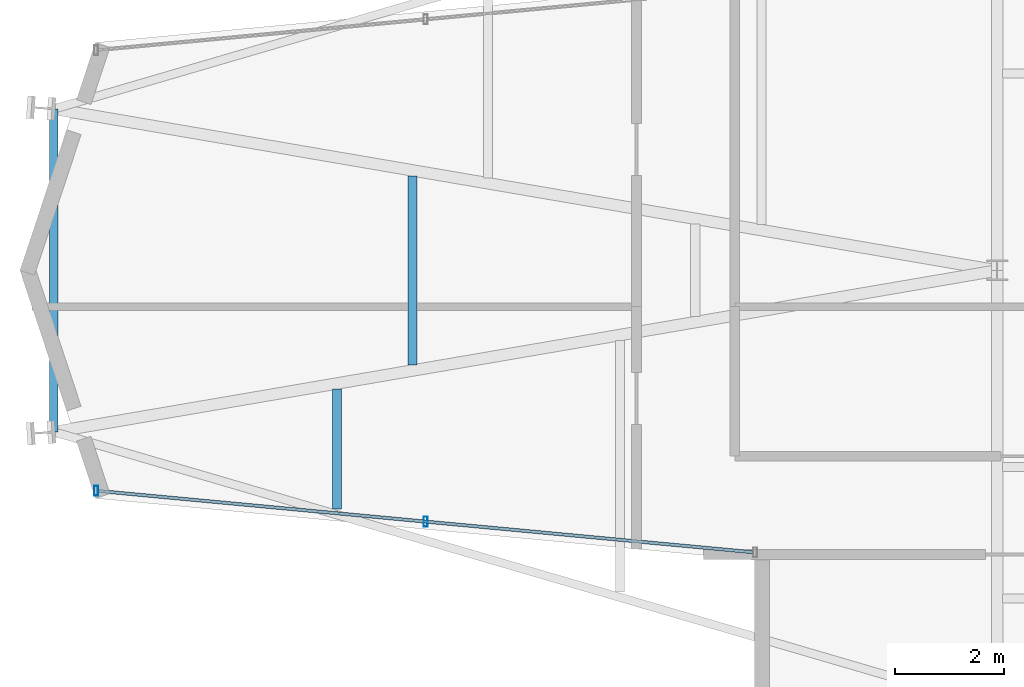
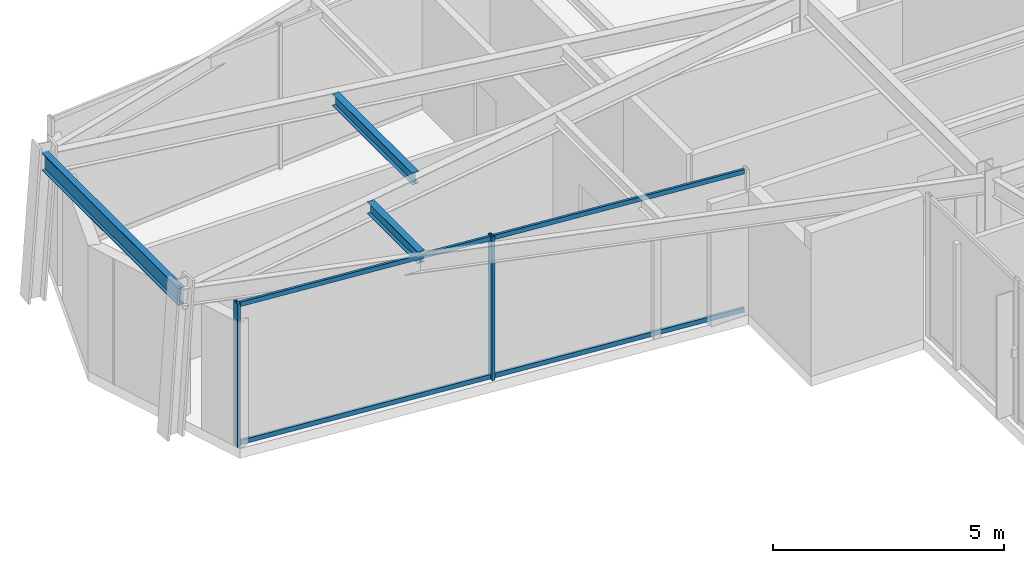
# One storey, part 3 of 23: 4 members, 3 beams, 1 element without a shape of its own.
"""IFC4 building model written with IfcOpenShell, lengths in metres."""

from ifc_helpers import new_model, si_unit, direction, frame, origin, origin_2d, place, context, subcontext, project, spatial, hollow_rectangle, i_section, extrude, material, layer, layer_set, material_profile, profile_set, type_object, element, aggregate, save


model = new_model("IFC4")

# Units and contexts
model_context = context("Model", 3, precision=1e-05, world=origin(), true_north=direction((0.0, 1.0)))
body_context = subcontext(model_context, "Body", "Model", "MODEL_VIEW")
ifc_project = project(units=[si_unit("LENGTHUNIT", "METRE"), si_unit("AREAUNIT", "SQUARE_METRE"), si_unit("VOLUMEUNIT", "CUBIC_METRE"), si_unit("PLANEANGLEUNIT", "RADIAN"), si_unit("MASSUNIT", "GRAM", prefix="KILO")], contexts=[model_context])

# Site, building, storey
site_placement = place(None, origin())
site = spatial("IfcSite", under=ifc_project, at=site_placement, CompositionType="ELEMENT")
building_placement = place(site_placement, origin())
building = spatial("IfcBuilding", under=site, at=building_placement, Name="Veymaron Broadcast Tower", CompositionType="ELEMENT")
storey_placement = place(building_placement, frame((0.0, 0.0, 224.25)))
storey = spatial("IfcBuildingStorey", under=building, at=storey_placement, Name="L52", CompositionType="ELEMENT", Elevation=224.25)

# Beams
ifc_material_1 = material(Name="Structural steel ASTM A992 Gr 50", Category="steel")
ifc_material_profile_1 = material_profile(ifc_material_1, i_section(OverallWidth=0.1650390625, OverallDepth=0.31005859375, WebThickness=0.005859375, FlangeThickness=0.009765625, at=origin_2d()), Name="W310X39")
ifc_profile_set_1 = profile_set([ifc_material_profile_1], Name="Structural steel ASTM A992 Gr 50")
beam_type_1 = type_object("IfcBeamType", Name="BM-JS3", PredefinedType="JOIST", material=ifc_profile_set_1)
beam_1_placement = place(storey_placement, frame((19.11865234375, 19.631591796875, 3.635009765625), z_axis=(0.0, 1.0, 0.0), x_axis=(-1.0, 0.0, 0.0)))
element("IfcBeam", 1, at=beam_1_placement, inside=storey, type_object=beam_type_1, Name="L52 Arm-A secondary joist 1S", PredefinedType="JOIST", context=body_context, shape_type="SweptSolid", body=[
    extrude(i_section(OverallWidth=0.1650390625, OverallDepth=0.31005859375, WebThickness=0.005859375, FlangeThickness=0.009765625, at=origin_2d()), origin(), (0.0, 0.0, 1.0), 2.199951171875),
])
beam_2_placement = place(storey_placement, frame((20.49951171875, 22.267822265625, 3.635009765625), z_axis=(0.0, 1.0, 0.0), x_axis=(-1.0, 0.0, 0.0)))
element("IfcBeam", 2, at=beam_2_placement, inside=storey, type_object=beam_type_1, Name="L52 Arm-A secondary joist 1M", PredefinedType="JOIST", context=body_context, shape_type="SweptSolid", body=[
    extrude(i_section(OverallWidth=0.1650390625, OverallDepth=0.31005859375, WebThickness=0.005859375, FlangeThickness=0.009765625, at=origin_2d()), origin(), (0.0, 0.0, 1.0), 3.46435546875),
])
ifc_material_profile_2 = material_profile(ifc_material_1, i_section(OverallWidth=0.154052734375, OverallDepth=0.458984375, WebThickness=0.009033203125, FlangeThickness=0.015380859375, at=origin_2d()), Name="W460X68")
ifc_profile_set_2 = profile_set([ifc_material_profile_2], Name="Structural steel ASTM A992 Gr 50")
beam_type_2 = type_object("IfcBeamType", Name="BM-SP2", PredefinedType="SPANDREL", material=ifc_profile_set_2)
beam_3_placement = place(storey_placement, frame((13.94091796875, 21.044921875, 3.560546875), z_axis=(0.0, 1.0, 0.0), x_axis=(-1.0, 0.0, 0.0)))
element("IfcBeam", 3, at=beam_3_placement, inside=storey, type_object=beam_type_2, Name="L52 primary structural floor girder", PredefinedType="SPANDREL", context=body_context, shape_type="SweptSolid", body=[
    extrude(i_section(OverallWidth=0.154052734375, OverallDepth=0.458984375, WebThickness=0.009033203125, FlangeThickness=0.015380859375, at=origin_2d()), origin(), (0.0, 0.0, 1.0), 5.91015625),
])

# Curtain wall, members
ifc_material_2 = material(Name="Anodised aluminium AA 6063-T6 and laminated low-E dark glass", Category="aluminium")
ifc_layer = layer(ifc_material_2, 0.179931640625)
ifc_layer_set = layer_set([ifc_layer], Name="Anodised aluminium AA 6063-T6 and laminated low-E dark glass")
curtain_wall_type = type_object("IfcCurtainWallType", Name="CW-SYS-05", PredefinedType="NOTDEFINED", material=ifc_layer_set)
curtain_wall_placement = place(storey_placement, origin())
curtain_wall = element("IfcCurtainWall", 4, at=curtain_wall_placement, inside=storey, type_object=curtain_wall_type, Name="L52 dark-glass curtain wall CW-L52-E14-1", PredefinedType="NOTDEFINED")
ifc_material_3 = material(Name="Anodised aluminium AA 6063-T6", Category="aluminium")
ifc_material_profile_3 = material_profile(ifc_material_3, hollow_rectangle(XDim=0.074951171875, YDim=0.179931640625, WallThickness=0.0048828125, at=origin_2d()), Name="AL180X75X5")
ifc_profile_set_3 = profile_set([ifc_material_profile_3], Name="Anodised aluminium AA 6063-T6")
member_type_1 = type_object("IfcMemberType", Name="CW-MUL-02", PredefinedType="MULLION", material=ifc_profile_set_3)
member_1_placement = place(storey_placement, frame((14.713134765625, 19.96875, 0.0), z_axis=(0.0, 0.0, 1.0), x_axis=(1.0, 0.0, 0.0)))
member_1 = element("IfcMember", 5, at=member_1_placement, type_object=member_type_1, Name="CW-L52-E14-1 mullion 0", PredefinedType="MULLION", context=body_context, shape_type="SweptSolid", body=[
    extrude(hollow_rectangle(XDim=0.074951171875, YDim=0.179931640625, WallThickness=0.0048828125, at=origin_2d()), origin(), (0.0, 0.0, 1.0), 3.7900390625),
])
member_2_placement = place(storey_placement, frame((20.7431640625, 19.40380859375, 0.0), z_axis=(0.0, 0.0, 1.0), x_axis=(1.0, 0.0, 0.0)))
member_2 = element("IfcMember", 6, at=member_2_placement, type_object=member_type_1, Name="CW-L52-E14-1 mullion 1", PredefinedType="MULLION", context=body_context, shape_type="SweptSolid", body=[
    extrude(hollow_rectangle(XDim=0.074951171875, YDim=0.179931640625, WallThickness=0.0048828125, at=origin_2d()), origin(), (0.0, 0.0, 1.0), 3.7900390625),
])
ifc_material_profile_4 = material_profile(ifc_material_3, hollow_rectangle(XDim=0.06005859375, YDim=0.1201171875, WallThickness=0.00390625, at=origin_2d()), Name="AL120X60X4")
ifc_profile_set_4 = profile_set([ifc_material_profile_4], Name="Anodised aluminium AA 6063-T6")
member_type_2 = type_object("IfcMemberType", Name="CW-TRN-02", PredefinedType="USERDEFINED", material=ifc_profile_set_4)
member_3_placement = place(storey_placement, frame((14.762939453125, 19.964111328125, 0.070068359375), z_axis=(0.995641423823, -0.093263900672, 0.0), x_axis=(0.093263900672, 0.995641423823, 0.0)))
member_3 = element("IfcMember", 7, at=member_3_placement, type_object=member_type_2, Name="CW-L52-E14-1 transom B", ObjectType="TRANSOM", PredefinedType="USERDEFINED", context=body_context, shape_type="SweptSolid", body=[
    extrude(hollow_rectangle(XDim=0.06005859375, YDim=0.1201171875, WallThickness=0.00390625, at=origin_2d()), origin(), (0.0, 0.0, 1.0), 12.0126953125),
])
member_4_placement = place(storey_placement, frame((14.762939453125, 19.964111328125, 3.719970703125), z_axis=(0.995641423823, -0.093263900672, 0.0), x_axis=(0.093263900672, 0.995641423823, 0.0)))
member_4 = element("IfcMember", 8, at=member_4_placement, type_object=member_type_2, Name="CW-L52-E14-1 transom T", ObjectType="TRANSOM", PredefinedType="USERDEFINED", context=body_context, shape_type="SweptSolid", body=[
    extrude(hollow_rectangle(XDim=0.06005859375, YDim=0.1201171875, WallThickness=0.00390625, at=origin_2d()), origin(), (0.0, 0.0, 1.0), 12.0126953125),
])
aggregate(curtain_wall, [member_1, member_2, member_3, member_4])

save(model, "model.ifc")
